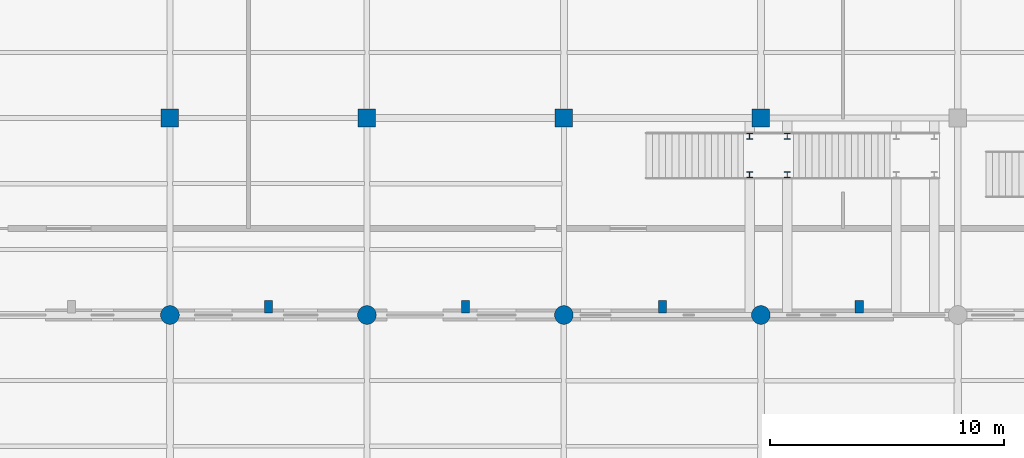
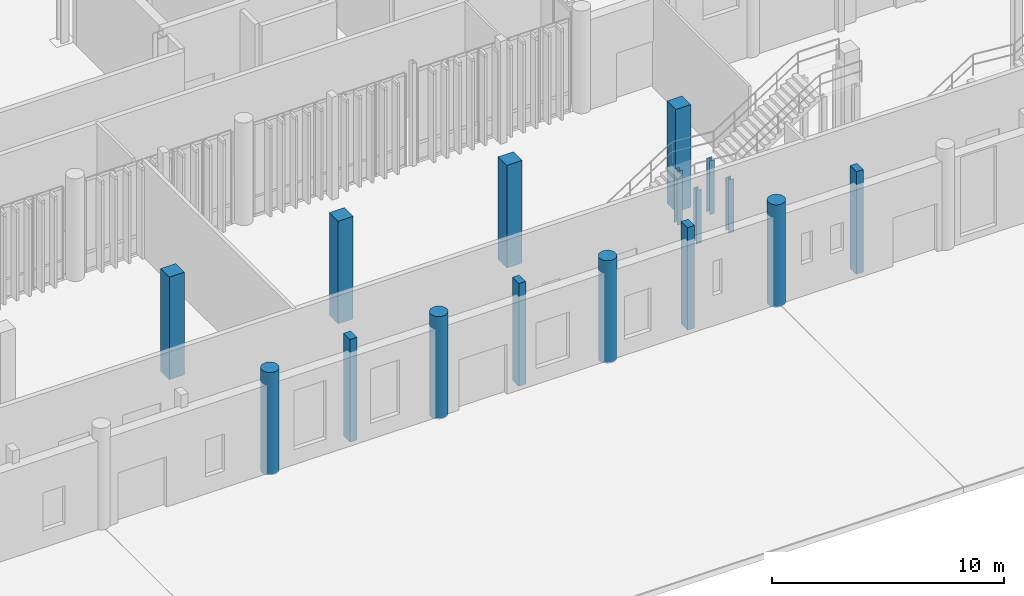
# One storey, part 6 of 112: 16 columns.
"""IFC4 building model written with IfcOpenShell, lengths in metres."""

from ifc_helpers import new_model, si_unit, direction, frame, origin_with_axes, origin_2d_with_axis, place, context, subcontext, project, spatial, rectangle, circle, i_section, extrude, material, material_profile, profile_set, type_object, element, save


model = new_model("IFC4")

# Units and contexts
model_context = context("Model", 3, precision=1e-05, world=origin_with_axes(), true_north=direction((0.0, 1.0)))
body_context = subcontext(model_context, "Body", "Model", "MODEL_VIEW")
ifc_project = project(units=[si_unit("LENGTHUNIT", "METRE"), si_unit("AREAUNIT", "SQUARE_METRE"), si_unit("VOLUMEUNIT", "CUBIC_METRE"), si_unit("PLANEANGLEUNIT", "RADIAN"), si_unit("MASSUNIT", "GRAM", prefix="KILO"), si_unit("THERMODYNAMICTEMPERATUREUNIT", "KELVIN")], contexts=[model_context])

# Site, building, storey
site_placement = place(None, origin_with_axes())
site = spatial("IfcSite", under=ifc_project, at=site_placement, CompositionType="ELEMENT")
building_placement = place(site_placement, origin_with_axes())
building = spatial("IfcBuilding", under=site, at=building_placement, Name="Montbau Bow Law Courts", CompositionType="ELEMENT")
storey_placement = place(building_placement, origin_with_axes())
storey = spatial("IfcBuildingStorey", under=building, at=storey_placement, Name="L00", CompositionType="ELEMENT", Elevation=0.0)

# Columns
ifc_material_1 = material(Name="Concrete CSA A23.1 f'c 40 MPa", Category="concrete")
ifc_material_profile_1 = material_profile(ifc_material_1, rectangle(XDim=0.35, YDim=0.55, at=origin_2d_with_axis()), Name="RC550X350", Category="Main", Priority=0)
ifc_profile_set_1 = profile_set([ifc_material_profile_1], Name="Concrete CSA A23.1 f'c 40 MPa")
column_type_1 = type_object("IfcColumnType", Name="C-PIL-01", PredefinedType="PILASTER", material=ifc_profile_set_1)
for number, where, z_axis, x_axis, name in (
    (1, (76.2, 22.55, 0.0), (0.0, 0.0, 1.0), (1.0, 0.0, 0.0), "PL-L00-S04:pil2_0011"),
    (2, (84.6, 22.55, 0.0), (0.0, 0.0, 1.0), (1.0, 0.0, 0.0), "PL-L00-S05:pil2_0014"),
    (3, (93.0, 22.55, 0.0), (0.0, 0.0, 1.0), (1.0, 0.0, 0.0), "PL-L00-S06:pil2_0017"),
    (4, (101.4, 22.55, 0.0), (0.0, 0.0, 1.0), (1.0, 0.0, 0.0), "PL-L00-S07:pil2_0020"),
):
    element("IfcColumn", number, at=place(None, frame(where, z_axis=z_axis, x_axis=x_axis)), inside=storey, type_object=column_type_1, Name=name, PredefinedType="PILASTER", context=body_context, shape_type="SweptSolid", body=[
        extrude(rectangle(XDim=0.35, YDim=0.55, at=origin_2d_with_axis()), origin_with_axes(), (0.0, 0.0, 1.0), 5.4),
    ])
ifc_material_profile_2 = material_profile(ifc_material_1, rectangle(XDim=0.75, YDim=0.75, at=origin_2d_with_axis()), Name="RC750X750", Category="Main", Priority=0)
ifc_profile_set_2 = profile_set([ifc_material_profile_2], Name="Concrete CSA A23.1 f'c 40 MPa")
column_type_2 = type_object("IfcColumnType", Name="C-RC-03", PredefinedType="COLUMN", material=ifc_profile_set_2)
for number, where, z_axis, x_axis, name in (
    (5, (72.0, 30.6, 0.0), (0.0, 0.0, 1.0), (1.0, 0.0, 0.0), "C-L00-S0239:col2_0239"),
    (6, (80.4, 30.6, 0.0), (0.0, 0.0, 1.0), (1.0, 0.0, 0.0), "C-L00-S0245:col2_0245"),
    (7, (88.8, 30.6, 0.0), (0.0, 0.0, 1.0), (1.0, 0.0, 0.0), "C-L00-S0251:col2_0251"),
    (8, (97.2, 30.6, 0.0), (0.0, 0.0, 1.0), (1.0, 0.0, 0.0), "C-L00-S0257:col2_0257"),
):
    element("IfcColumn", number, at=place(None, frame(where, z_axis=z_axis, x_axis=x_axis)), inside=storey, type_object=column_type_2, Name=name, PredefinedType="COLUMN", context=body_context, shape_type="SweptSolid", body=[
        extrude(rectangle(XDim=0.75, YDim=0.75, at=origin_2d_with_axis()), origin_with_axes(), (0.0, 0.0, 1.0), 5.4),
    ])
ifc_material_profile_3 = material_profile(ifc_material_1, circle(Radius=0.4, at=origin_2d_with_axis()), Name="RC800D", Category="Main", Priority=0)
ifc_profile_set_3 = profile_set([ifc_material_profile_3], Name="Concrete CSA A23.1 f'c 40 MPa")
column_type_3 = type_object("IfcColumnType", Name="C-RC-07", PredefinedType="COLUMN", material=ifc_profile_set_3)
for number, where, z_axis, x_axis, name in (
    (9, (72.0, 22.2, 0.0), (0.0, 0.0, 1.0), (1.0, 0.0, 0.0), "C-L00-S0238:col2_0238"),
    (10, (80.4, 22.2, 0.0), (0.0, 0.0, 1.0), (1.0, 0.0, 0.0), "C-L00-S0244:col2_0244"),
    (11, (88.8, 22.2, 0.0), (0.0, 0.0, 1.0), (1.0, 0.0, 0.0), "C-L00-S0250:col2_0250"),
    (12, (97.2, 22.2, 0.0), (0.0, 0.0, 1.0), (1.0, 0.0, 0.0), "C-L00-S0256:col2_0256"),
):
    element("IfcColumn", number, at=place(None, frame(where, z_axis=z_axis, x_axis=x_axis)), inside=storey, type_object=column_type_3, Name=name, PredefinedType="COLUMN", context=body_context, shape_type="SweptSolid", body=[
        extrude(circle(Radius=0.4, at=origin_2d_with_axis()), origin_with_axes(), (0.0, 0.0, 1.0), 5.4),
    ])
ifc_material_2 = material(Name="Steel CSA G40.21 Grade 350W (350 MPa)", Category="steel")
ifc_material_profile_4 = material_profile(ifc_material_2, i_section(OverallWidth=0.256, OverallDepth=0.26, WebThickness=0.0107, FlangeThickness=0.0173, at=origin_2d_with_axis()), Name="W250X89", Category="Main", Priority=0)
ifc_profile_set_4 = profile_set([ifc_material_profile_4], Name="Steel CSA G40.21 Grade 350W (350 MPa)")
column_type_4 = type_object("IfcColumnType", Name="C-STL-08", PredefinedType="COLUMN", material=ifc_profile_set_4)
for number, where, z_axis, x_axis, name in (
    (13, (96.72, 28.18, -0.29), (0.0, 0.0, 1.0), (1.0, 0.0, 0.0), "C-ST-L00-09:col2_1128"),
    (14, (96.72, 29.82, -0.29), (0.0, 0.0, 1.0), (1.0, 0.0, 0.0), "C-ST-L00-10:col2_1129"),
    (15, (98.33, 28.18, -0.29), (0.0, 0.0, 1.0), (1.0, 0.0, 0.0), "C-ST-L00-11:col2_1130"),
    (16, (98.33, 29.82, -0.29), (0.0, 0.0, 1.0), (1.0, 0.0, 0.0), "C-ST-L00-12:col2_1131"),
):
    element("IfcColumn", number, at=place(None, frame(where, z_axis=z_axis, x_axis=x_axis)), inside=storey, type_object=column_type_4, Name=name, PredefinedType="COLUMN", context=body_context, shape_type="SweptSolid", body=[
        extrude(i_section(OverallWidth=0.256, OverallDepth=0.26, WebThickness=0.0107, FlangeThickness=0.0173, at=origin_2d_with_axis()), origin_with_axes(), (0.0, 0.0, 1.0), 2.81),
    ])

save(model, "model.ifc")
